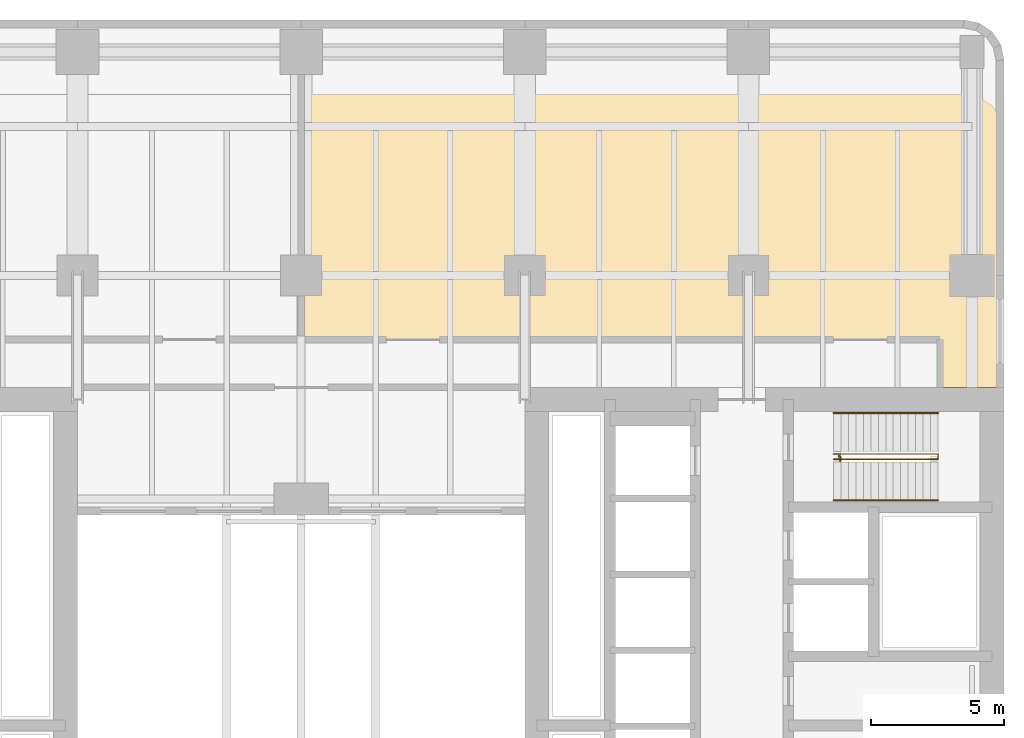
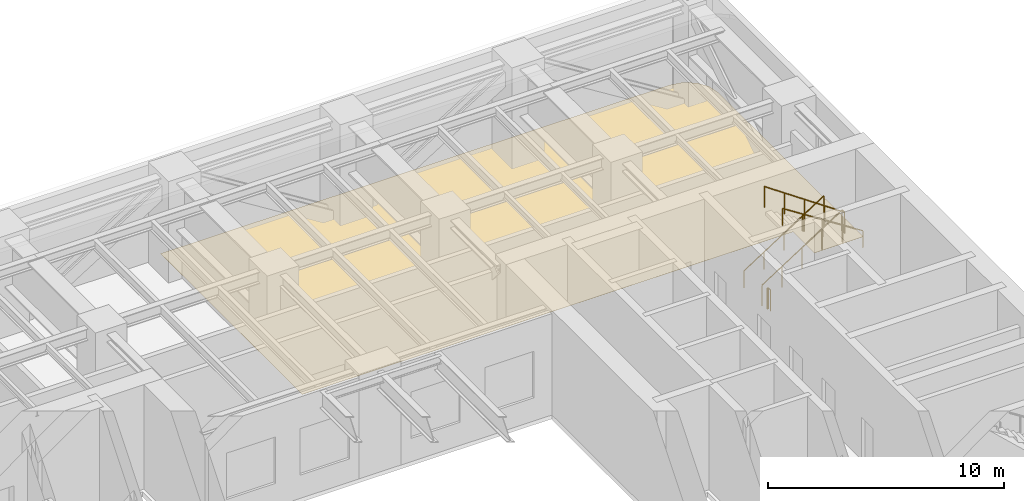
# One storey, part 11 of 11: 4 railings, 1 covering.
"""IFC4 building model written with IfcOpenShell, lengths in metres."""

from ifc_helpers import new_model, si_unit, direction, frame, origin, origin_2d, place, context, subcontext, project, spatial, polyline, circle, outline, extrude, material, layer, layer_set, type_object, element, save


model = new_model("IFC4")

# Units and contexts
model_context = context("Model", 3, precision=1e-05, world=origin(), true_north=direction((0.0, 1.0)))
body_context = subcontext(model_context, "Body", "Model", "MODEL_VIEW")
ifc_project = project(units=[si_unit("LENGTHUNIT", "METRE"), si_unit("AREAUNIT", "SQUARE_METRE"), si_unit("VOLUMEUNIT", "CUBIC_METRE"), si_unit("PLANEANGLEUNIT", "RADIAN"), si_unit("MASSUNIT", "GRAM", prefix="KILO")], contexts=[model_context])

# Site, building, storey
site_placement = place(None, origin())
site = spatial("IfcSite", under=ifc_project, at=site_placement, CompositionType="ELEMENT")
building_placement = place(site_placement, origin())
building = spatial("IfcBuilding", under=site, at=building_placement, Name="Claustro Exchange Tower", CompositionType="ELEMENT")
storey_placement = place(building_placement, frame((0.0, 0.0, 90.89990234375)))
storey = spatial("IfcBuildingStorey", under=building, at=storey_placement, Name="L20", CompositionType="ELEMENT", Elevation=90.89990234375)

# Covering
ifc_material_1 = material(Name="Epoxy resin floor finish", Category="resin")
ifc_layer = layer(ifc_material_1, 0.006103515625)
ifc_layer_set = layer_set([ifc_layer], Name="Epoxy resin floor finish")
covering_type = type_object("IfcCoveringType", Name="FL2 resin plant room floor", PredefinedType="FLOORING", material=ifc_layer_set)
covering_placement = place(storey_placement, origin())
element("IfcCovering", 1, at=covering_placement, inside=storey, type_object=covering_type, Name="Resin floor FL2 L20-09", PredefinedType="FLOORING", context=body_context, shape_type="SweptSolid", body=[
    extrude(outline(polyline([(50.10009765625, 51.60009765625), (25.199951171875, 51.60009765625), (25.199951171875, 39.60009765625), (49.199951171875, 39.60009765625), (49.199951171875, 37.800048828125), (51.60009765625, 37.800048828125), (51.60009765625, 50.10009765625), (51.48583984375, 50.674072265625), (51.16064453125, 51.16064453125), (50.674072265625, 51.48583984375), (50.10009765625, 51.60009765625)])), origin(), (0.0, 0.0, 1.0), 0.006103515625),
])

# Railings
ifc_material_2 = material(Name="Steel balustrade, painted", Category="steel")
railing_type_1 = type_object("IfcRailingType", Name="GR2 1100 steel stair guard", PredefinedType="GUARDRAIL", material=ifc_material_2)
railing_1_placement = place(storey_placement, frame((45.199951171875, 35.300048828125, 0.18017578125)))
element("IfcRailing", 2, at=railing_1_placement, inside=storey, type_object=railing_type_1, Name="Stair well guard GR2 stair STEB L20", PredefinedType="GUARDRAIL", context=body_context, shape_type="SweptSolid", body=[
    extrude(circle(Radius=0.02392578125, at=origin_2d()), frame((0.0, 0.0, 1.076171875), z_axis=(0.841186985886, 0.0, 0.540744352514), x_axis=(0.0, 1.0, 0.0)), (0.0, 0.0, 1.0), 4.660400390625),
    extrude(circle(Radius=0.02392578125, at=origin_2d()), frame((3.920166015625, 0.0, 3.59619140625), z_axis=(0.0, -1.0, 0.0), x_axis=(1.0, 0.0, 0.0)), (0.0, 0.0, 1.0), 0.199951171875),
    extrude(circle(Radius=0.02392578125, at=origin_2d()), frame((3.920166015625, -0.199951171875, 3.59619140625), z_axis=(-0.823567234665, 0.0, 0.567218661528), x_axis=(0.0, -1.0, 0.0)), (0.0, 0.0, 1.0), 4.760009765625),
    extrude(circle(Radius=0.02099609375, at=origin_2d()), origin(), (0.0, 0.0, 1.0), 1.052001953125),
    extrude(circle(Radius=0.02099609375, at=origin_2d()), frame((0.97998046875, 0.0, 0.6298828125)), (0.0, 0.0, 1.0), 1.052001953125),
    extrude(circle(Radius=0.02099609375, at=origin_2d()), frame((1.9599609375, 0.0, 1.260009765625)), (0.0, 0.0, 1.0), 1.052001953125),
    extrude(circle(Radius=0.02099609375, at=origin_2d()), frame((2.940185546875, 0.0, 1.89013671875)), (0.0, 0.0, 1.0), 1.052001953125),
    extrude(circle(Radius=0.02099609375, at=origin_2d()), frame((3.920166015625, 0.0, 2.52001953125)), (0.0, 0.0, 1.0), 1.052001953125),
    extrude(circle(Radius=0.02099609375, at=origin_2d()), frame((3.920166015625, -0.199951171875, 2.52001953125)), (0.0, 0.0, 1.0), 1.052001953125),
    extrude(circle(Radius=0.02099609375, at=origin_2d()), frame((2.940185546875, -0.199951171875, 3.195068359375)), (0.0, 0.0, 1.0), 1.052001953125),
    extrude(circle(Radius=0.02099609375, at=origin_2d()), frame((1.9599609375, -0.199951171875, 3.8701171875)), (0.0, 0.0, 1.0), 1.052001953125),
    extrude(circle(Radius=0.02099609375, at=origin_2d()), frame((0.97998046875, -0.199951171875, 4.544921875)), (0.0, 0.0, 1.0), 1.052001953125),
    extrude(circle(Radius=0.02099609375, at=origin_2d()), frame((0.0, -0.199951171875, 5.219970703125)), (0.0, 0.0, 1.0), 1.052001953125),
])
railing_2_placement = place(storey_placement, frame((45.39990234375, 35.22998046875, 0.0)))
element("IfcRailing", 3, at=railing_2_placement, inside=storey, type_object=railing_type_1, Name="Stair guard GR2 STEB L20", PredefinedType="GUARDRAIL", context=body_context, shape_type="SweptSolid", body=[
    extrude(circle(Radius=0.02392578125, at=origin_2d()), frame((0.0, 0.0, 1.076171875), z_axis=(0.0, -1.0, 0.0), x_axis=(1.0, 0.0, 0.0)), (0.0, 0.0, 1.0), 0.030029296875),
    extrude(circle(Radius=0.02392578125, at=origin_2d()), frame((0.0, -0.030029296875, 1.076171875), z_axis=(1.0, 0.0, 0.0), x_axis=(0.0, 1.0, 0.0)), (0.0, 0.0, 1.0), 0.05517578125),
    extrude(circle(Radius=0.02392578125, at=origin_2d()), frame((0.05517578125, -0.030029296875, 1.076171875), z_axis=(0.0, -1.0, 0.0), x_axis=(1.0, 0.0, 0.0)), (0.0, 0.0, 1.0), 0.179931640625),
    extrude(circle(Radius=0.02099609375, at=origin_2d()), origin(), (0.0, 0.0, 1.0), 1.052001953125),
    extrude(circle(Radius=0.02099609375, at=origin_2d()), frame((0.0, -0.030029296875, 0.0)), (0.0, 0.0, 1.0), 1.052001953125),
    extrude(circle(Radius=0.02099609375, at=origin_2d()), frame((0.05517578125, -0.030029296875, 0.0)), (0.0, 0.0, 1.0), 1.052001953125),
    extrude(circle(Radius=0.02099609375, at=origin_2d()), frame((0.05517578125, -0.2099609375, 0.0)), (0.0, 0.0, 1.0), 1.052001953125),
])
ifc_material_3 = material(Name="Stainless steel tube", Category="steel")
railing_type_2 = type_object("IfcRailingType", Name="HR1 900 stair handrail", PredefinedType="HANDRAIL", material=ifc_material_3)
railing_3_placement = place(storey_placement, frame((45.199951171875, 36.840087890625, 0.18017578125)))
element("IfcRailing", 4, at=railing_3_placement, inside=storey, type_object=railing_type_2, Name="Handrail HR1 stair STEB L20", PredefinedType="HANDRAIL", context=body_context, shape_type="SweptSolid", body=[
    extrude(circle(Radius=0.02392578125, at=origin_2d()), frame((0.0, 0.0, 0.8759765625), z_axis=(0.841186985886, 0.0, 0.540744352514), x_axis=(0.0, 1.0, 0.0)), (0.0, 0.0, 1.0), 4.660400390625),
    extrude(circle(Radius=0.02099609375, at=origin_2d()), origin(), (0.0, 0.0, 1.0), 0.851806640625),
    extrude(circle(Radius=0.02099609375, at=origin_2d()), frame((0.97998046875, 0.0, 0.6298828125)), (0.0, 0.0, 1.0), 0.851806640625),
    extrude(circle(Radius=0.02099609375, at=origin_2d()), frame((1.9599609375, 0.0, 1.260009765625)), (0.0, 0.0, 1.0), 0.851806640625),
    extrude(circle(Radius=0.02099609375, at=origin_2d()), frame((2.940185546875, 0.0, 1.89013671875)), (0.0, 0.0, 1.0), 0.851806640625),
    extrude(circle(Radius=0.02099609375, at=origin_2d()), frame((3.920166015625, 0.0, 2.52001953125)), (0.0, 0.0, 1.0), 0.851806640625),
])
railing_4_placement = place(storey_placement, frame((49.1201171875, 33.56005859375, 2.880126953125)))
element("IfcRailing", 5, at=railing_4_placement, inside=storey, type_object=railing_type_2, Name="Handrail HR1 stair STEB L20", PredefinedType="HANDRAIL", context=body_context, shape_type="SweptSolid", body=[
    extrude(circle(Radius=0.02392578125, at=origin_2d()), frame((0.0, 0.0, 0.8759765625), z_axis=(-0.841186985886, 0.0, 0.540744352514), x_axis=(0.0, -1.0, 0.0)), (0.0, 0.0, 1.0), 4.660400390625),
    extrude(circle(Radius=0.02099609375, at=origin_2d()), origin(), (0.0, 0.0, 1.0), 0.851806640625),
    extrude(circle(Radius=0.02099609375, at=origin_2d()), frame((-0.97998046875, 0.0, 0.6298828125)), (0.0, 0.0, 1.0), 0.851806640625),
    extrude(circle(Radius=0.02099609375, at=origin_2d()), frame((-1.9599609375, 0.0, 1.260009765625)), (0.0, 0.0, 1.0), 0.851806640625),
    extrude(circle(Radius=0.02099609375, at=origin_2d()), frame((-2.940185546875, 0.0, 1.89013671875)), (0.0, 0.0, 1.0), 0.851806640625),
    extrude(circle(Radius=0.02099609375, at=origin_2d()), frame((-3.920166015625, 0.0, 2.52001953125)), (0.0, 0.0, 1.0), 0.851806640625),
])

save(model, "model.ifc")
